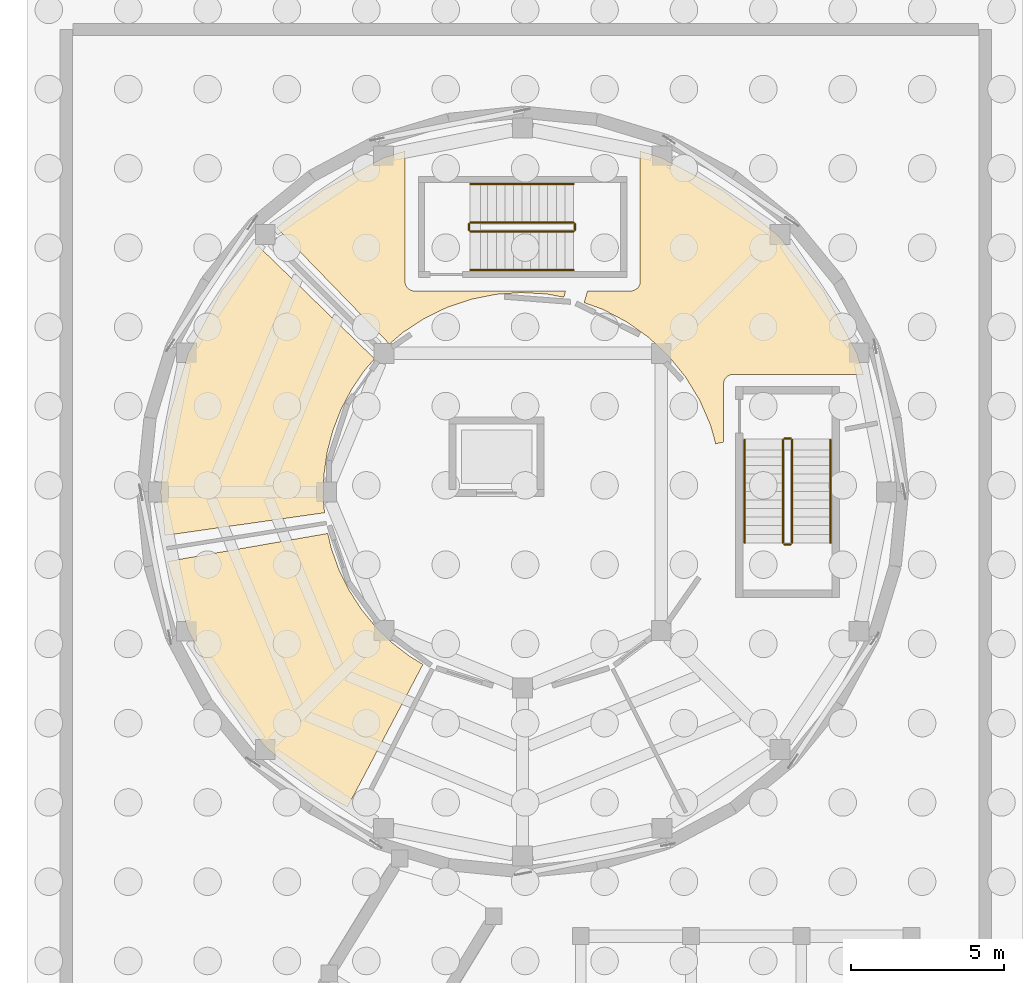
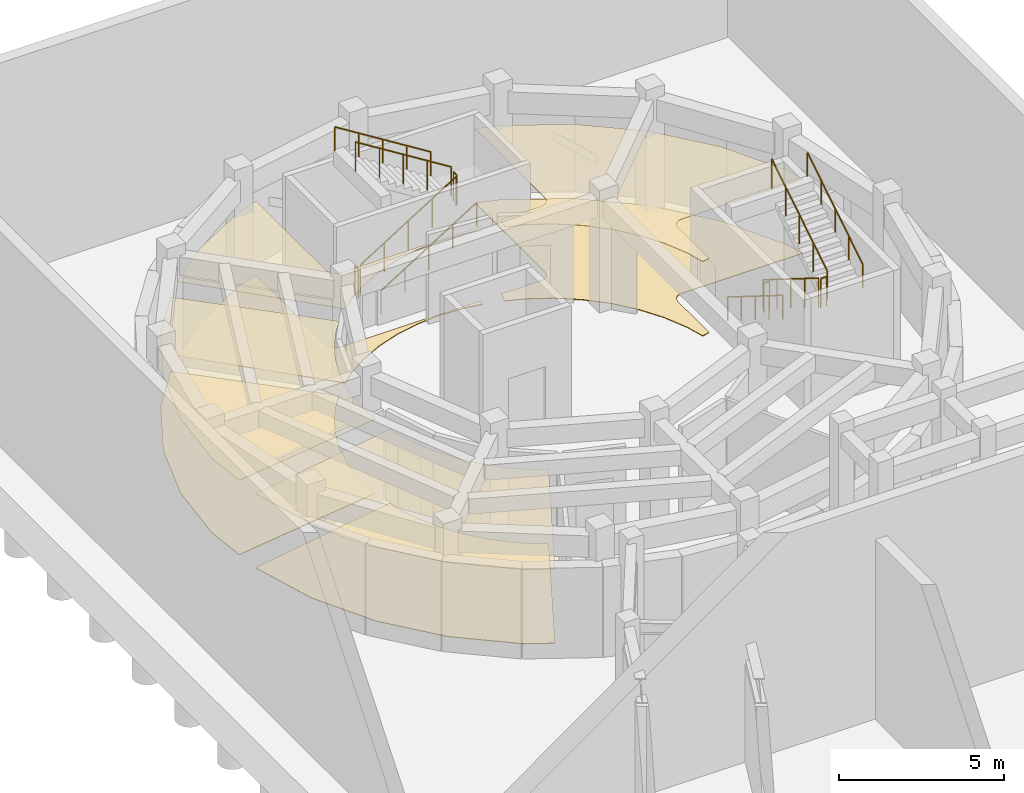
# One storey, part 56 of 57: 12 railings, 8 coverings.
"""IFC4 building model written with IfcOpenShell, lengths in metres."""

from ifc_helpers import new_model, si_unit, direction, frame, origin, origin_2d, place, context, subcontext, project, spatial, polyline, circle, outline, extrude, material, layer, layer_set, type_object, element, save


model = new_model("IFC4")

# Units and contexts
model_context = context("Model", 3, precision=1e-05, world=origin(), true_north=direction((0.0, 1.0)))
body_context = subcontext(model_context, "Body", "Model", "MODEL_VIEW")
ifc_project = project(units=[si_unit("LENGTHUNIT", "METRE"), si_unit("AREAUNIT", "SQUARE_METRE"), si_unit("VOLUMEUNIT", "CUBIC_METRE"), si_unit("PLANEANGLEUNIT", "RADIAN"), si_unit("MASSUNIT", "GRAM", prefix="KILO")], contexts=[model_context])

# Site, building, storey
site_placement = place(None, origin())
site = spatial("IfcSite", under=ifc_project, at=site_placement, CompositionType="ELEMENT")
building_placement = place(site_placement, origin())
building = spatial("IfcBuilding", under=site, at=building_placement, Name="Aldenvaro Health Centre", CompositionType="ELEMENT")
storey_placement = place(building_placement, frame((0.0, 0.0, -4.550048828125)))
storey = spatial("IfcBuildingStorey", under=building, at=storey_placement, Name="B1", CompositionType="ELEMENT", Elevation=-4.550048828125)

# Coverings
ifc_material_1 = material(Name="Antimicrobial Mineral Fibre Ceiling")
ifc_layer_1 = layer(ifc_material_1, 0.01806640625, Name="Antimicrobial Mineral Fibre Ceiling")
ifc_layer_set_1 = layer_set([ifc_layer_1], Name="Antimicrobial Mineral Fibre Ceiling")
covering_type_1 = type_object("IfcCoveringType", Name="COV-CLG-ACT18", PredefinedType="CEILING", material=ifc_layer_set_1)
covering_1_placement = place(storey_placement, frame((0.0, 0.0, 2.75)))
element("IfcCovering", 1, at=covering_1_placement, inside=storey, type_object=covering_type_1, Name="D2-B1-R04 Suspended Ceiling", PredefinedType="CEILING", context=body_context, shape_type="SweptSolid", body=[
    extrude(outline(polyline([(148.251953125, 97.672119140625), (148.260009765625, 97.64599609375), (148.5, 96.97412109375), (148.510986328125, 96.948974609375), (148.825927734375, 96.30908203125), (148.840087890625, 96.284912109375), (149.22607421875, 95.68505859375), (149.241943359375, 95.6630859375), (149.693115234375, 95.110107421875), (149.7119140625, 95.090087890625), (150.222900390625, 94.592041015625), (150.243896484375, 94.573974609375), (150.80908203125, 94.137939453125), (150.8310546875, 94.123046875), (151.248046875, 93.87109375), (148.784912109375, 89.218017578125), (147.93408203125, 89.673095703125), (146.14306640625, 91.14306640625), (144.673095703125, 92.93408203125), (143.5810546875, 94.97705078125), (142.907958984375, 97.195068359375), (142.905029296875, 97.23291015625), (148.14111328125, 98.14697265625), (148.251953125, 97.672119140625)])), origin(), (0.0, 0.0, 1.0), 0.01806640625),
])
ifc_material_2 = material(Name="Hygienic Sealed Gypsum Ceiling")
ifc_layer_2 = layer(ifc_material_2, 0.02490234375, Name="Hygienic Sealed Gypsum Ceiling")
ifc_layer_set_2 = layer_set([ifc_layer_2], Name="Hygienic Sealed Gypsum Ceiling")
covering_type_2 = type_object("IfcCoveringType", Name="COV-CLG-GYP25", PredefinedType="CEILING", material=ifc_layer_set_2)
covering_2_placement = place(storey_placement, frame((0.0, 0.0, 2.75)))
element("IfcCovering", 2, at=covering_2_placement, inside=storey, type_object=covering_type_2, Name="D2-B1-R01 Suspended Ceiling", PredefinedType="CEILING", context=body_context, shape_type="SweptSolid", body=[
    extrude(outline(polyline([(160.635009765625, 101.676025390625), (160.6240234375, 101.70703125), (160.283935546875, 102.486083984375), (160.26904296875, 102.514892578125), (159.826904296875, 103.240966796875), (159.80810546875, 103.26806640625), (159.27197265625, 103.927978515625), (159.25, 103.950927734375), (158.62890625, 104.531982421875), (158.60400390625, 104.552978515625), (157.909912109375, 105.044921875), (157.882080078125, 105.06201171875), (157.12890625, 105.455078125), (157.09912109375, 105.468017578125), (156.510009765625, 105.679931640625), (156.617919921875, 106.06005859375), (158.02001953125, 106.06005859375), (158.031982421875, 106.06005859375), (158.0400390625, 106.06103515625), (158.06298828125, 106.06298828125), (158.071044921875, 106.06396484375), (158.093994140625, 106.069091796875), (158.10205078125, 106.071044921875), (158.1240234375, 106.076904296875), (158.131103515625, 106.080078125), (158.153076171875, 106.089111328125), (158.159912109375, 106.092041015625), (158.180908203125, 106.10400390625), (158.18798828125, 106.10791015625), (158.20703125, 106.12109375), (158.214111328125, 106.125), (158.23193359375, 106.139892578125), (158.238037109375, 106.14599609375), (158.25390625, 106.162109375), (158.260009765625, 106.16796875), (158.27490234375, 106.18603515625), (158.279052734375, 106.193115234375), (158.2919921875, 106.2119140625), (158.2958984375, 106.218994140625), (158.30810546875, 106.239990234375), (158.31103515625, 106.2470703125), (158.320068359375, 106.26904296875), (158.322998046875, 106.27587890625), (158.3291015625, 106.298095703125), (158.3310546875, 106.305908203125), (158.3359375, 106.3291015625), (158.3369140625, 106.3369140625), (158.339111328125, 106.360107421875), (158.340087890625, 106.367919921875), (158.340087890625, 106.3798828125), (158.340087890625, 110.6259765625), (159.02294921875, 110.4189453125), (161.06591796875, 109.326904296875), (162.85693359375, 107.85693359375), (164.326904296875, 106.06591796875), (165.4189453125, 104.02294921875), (165.6259765625, 103.340087890625), (161.3798828125, 103.340087890625), (161.367919921875, 103.340087890625), (161.360107421875, 103.339111328125), (161.3369140625, 103.3369140625), (161.3291015625, 103.3359375), (161.305908203125, 103.3310546875), (161.298095703125, 103.3291015625), (161.27587890625, 103.322998046875), (161.26904296875, 103.320068359375), (161.2470703125, 103.31103515625), (161.239990234375, 103.30810546875), (161.218994140625, 103.2958984375), (161.2119140625, 103.2919921875), (161.193115234375, 103.279052734375), (161.18603515625, 103.27490234375), (161.16796875, 103.260009765625), (161.162109375, 103.25390625), (161.14599609375, 103.238037109375), (161.139892578125, 103.23193359375), (161.125, 103.214111328125), (161.12109375, 103.20703125), (161.10791015625, 103.18798828125), (161.10400390625, 103.180908203125), (161.092041015625, 103.159912109375), (161.089111328125, 103.153076171875), (161.080078125, 103.131103515625), (161.076904296875, 103.1240234375), (161.071044921875, 103.10205078125), (161.069091796875, 103.093994140625), (161.06396484375, 103.071044921875), (161.06298828125, 103.06298828125), (161.06103515625, 103.0400390625), (161.06005859375, 103.031982421875), (161.06005859375, 103.02001953125), (161.06005859375, 101.1279296875), (160.804931640625, 101.073974609375), (160.635009765625, 101.676025390625)])), origin(), (0.0, 0.0, 1.0), 0.025146484375),
])
covering_3_placement = place(storey_placement, frame((0.0, 0.0, 2.75)))
element("IfcCovering", 3, at=covering_3_placement, inside=storey, type_object=covering_type_2, Name="D2-B1-R02 Suspended Ceiling", PredefinedType="CEILING", context=body_context, shape_type="SweptSolid", body=[
    extrude(outline(polyline([(155.2890625, 105.9619140625), (155.258056640625, 105.965087890625), (154.464111328125, 106.009033203125), (154.43408203125, 106.009033203125), (153.639892578125, 105.951904296875), (153.610107421875, 105.947998046875), (152.830078125, 105.7919921875), (152.801025390625, 105.783935546875), (152.047119140625, 105.530029296875), (152.01806640625, 105.51806640625), (151.302978515625, 105.169921875), (151.27587890625, 105.155029296875), (150.611083984375, 104.719970703125), (150.5859375, 104.701904296875), (150.152099609375, 104.3310546875), (146.472900390625, 108.1279296875), (147.93408203125, 109.326904296875), (149.97705078125, 110.4189453125), (150.659912109375, 110.6259765625), (150.659912109375, 106.3798828125), (150.659912109375, 106.367919921875), (150.660888671875, 106.360107421875), (150.6630859375, 106.3369140625), (150.6640625, 106.3291015625), (150.6689453125, 106.305908203125), (150.6708984375, 106.298095703125), (150.677001953125, 106.27587890625), (150.679931640625, 106.26904296875), (150.68896484375, 106.2470703125), (150.69189453125, 106.239990234375), (150.7041015625, 106.218994140625), (150.7080078125, 106.2119140625), (150.720947265625, 106.193115234375), (150.72509765625, 106.18603515625), (150.739990234375, 106.16796875), (150.74609375, 106.162109375), (150.761962890625, 106.14599609375), (150.76806640625, 106.139892578125), (150.785888671875, 106.125), (150.79296875, 106.12109375), (150.81201171875, 106.10791015625), (150.819091796875, 106.10400390625), (150.840087890625, 106.092041015625), (150.846923828125, 106.089111328125), (150.868896484375, 106.080078125), (150.8759765625, 106.076904296875), (150.89794921875, 106.071044921875), (150.906005859375, 106.069091796875), (150.928955078125, 106.06396484375), (150.93701171875, 106.06298828125), (150.9599609375, 106.06103515625), (150.968017578125, 106.06005859375), (150.97998046875, 106.06005859375), (155.89990234375, 106.06005859375), (155.85009765625, 105.85791015625), (155.2890625, 105.9619140625)])), origin(), (0.0, 0.0, 1.0), 0.025146484375),
])
covering_4_placement = place(storey_placement, frame((0.0, 0.0, 2.75)))
element("IfcCovering", 4, at=covering_4_placement, inside=storey, type_object=covering_type_2, Name="D2-B1-R03 Suspended Ceiling", PredefinedType="CEILING", context=body_context, shape_type="SweptSolid", body=[
    extrude(outline(polyline([(149.34912109375, 103.47998046875), (149.33203125, 103.458984375), (148.929931640625, 102.868896484375), (148.916015625, 102.845947265625), (148.5830078125, 102.215087890625), (148.572021484375, 102.18994140625), (148.31298828125, 101.52490234375), (148.304931640625, 101.4990234375), (148.123046875, 100.80810546875), (148.117919921875, 100.781982421875), (148.01611328125, 100.074951171875), (148.012939453125, 100.048095703125), (147.991943359375, 99.3349609375), (147.992919921875, 99.306884765625), (148.033935546875, 98.822021484375), (142.821044921875, 98.080078125), (142.681884765625, 99.5), (142.907958984375, 101.804931640625), (143.5810546875, 104.02294921875), (144.673095703125, 106.06591796875), (145.8720703125, 107.527099609375), (149.66796875, 103.84912109375), (149.34912109375, 103.47998046875)])), origin(), (0.0, 0.0, 1.0), 0.025146484375),
])
ifc_material_3 = material(Name="Polished Epoxy Terrazzo Flooring")
ifc_layer_3 = layer(ifc_material_3, 0.02197265625, Name="Polished Epoxy Terrazzo Flooring")
ifc_layer_set_3 = layer_set([ifc_layer_3], Name="Polished Epoxy Terrazzo Flooring")
covering_type_3 = type_object("IfcCoveringType", Name="COV-FLR-TER22", PredefinedType="FLOORING", material=ifc_layer_set_3)
covering_5_placement = place(storey_placement, origin())
element("IfcCovering", 5, at=covering_5_placement, inside=storey, type_object=covering_type_3, Name="D2-B1-R01 Flooring", PredefinedType="FLOORING", context=body_context, shape_type="SweptSolid", body=[
    extrude(outline(polyline([(160.635009765625, 101.676025390625), (160.6240234375, 101.70703125), (160.283935546875, 102.486083984375), (160.26904296875, 102.514892578125), (159.826904296875, 103.240966796875), (159.80810546875, 103.26806640625), (159.27197265625, 103.927978515625), (159.25, 103.950927734375), (158.62890625, 104.531982421875), (158.60400390625, 104.552978515625), (157.909912109375, 105.044921875), (157.882080078125, 105.06201171875), (157.12890625, 105.455078125), (157.09912109375, 105.468017578125), (156.510009765625, 105.679931640625), (156.617919921875, 106.06005859375), (158.02001953125, 106.06005859375), (158.031982421875, 106.06005859375), (158.0400390625, 106.06103515625), (158.06298828125, 106.06298828125), (158.071044921875, 106.06396484375), (158.093994140625, 106.069091796875), (158.10205078125, 106.071044921875), (158.1240234375, 106.076904296875), (158.131103515625, 106.080078125), (158.153076171875, 106.089111328125), (158.159912109375, 106.092041015625), (158.180908203125, 106.10400390625), (158.18798828125, 106.10791015625), (158.20703125, 106.12109375), (158.214111328125, 106.125), (158.23193359375, 106.139892578125), (158.238037109375, 106.14599609375), (158.25390625, 106.162109375), (158.260009765625, 106.16796875), (158.27490234375, 106.18603515625), (158.279052734375, 106.193115234375), (158.2919921875, 106.2119140625), (158.2958984375, 106.218994140625), (158.30810546875, 106.239990234375), (158.31103515625, 106.2470703125), (158.320068359375, 106.26904296875), (158.322998046875, 106.27587890625), (158.3291015625, 106.298095703125), (158.3310546875, 106.305908203125), (158.3359375, 106.3291015625), (158.3369140625, 106.3369140625), (158.339111328125, 106.360107421875), (158.340087890625, 106.367919921875), (158.340087890625, 106.3798828125), (158.340087890625, 110.6259765625), (159.02294921875, 110.4189453125), (161.06591796875, 109.326904296875), (162.85693359375, 107.85693359375), (164.326904296875, 106.06591796875), (165.4189453125, 104.02294921875), (165.6259765625, 103.340087890625), (161.3798828125, 103.340087890625), (161.367919921875, 103.340087890625), (161.360107421875, 103.339111328125), (161.3369140625, 103.3369140625), (161.3291015625, 103.3359375), (161.305908203125, 103.3310546875), (161.298095703125, 103.3291015625), (161.27587890625, 103.322998046875), (161.26904296875, 103.320068359375), (161.2470703125, 103.31103515625), (161.239990234375, 103.30810546875), (161.218994140625, 103.2958984375), (161.2119140625, 103.2919921875), (161.193115234375, 103.279052734375), (161.18603515625, 103.27490234375), (161.16796875, 103.260009765625), (161.162109375, 103.25390625), (161.14599609375, 103.238037109375), (161.139892578125, 103.23193359375), (161.125, 103.214111328125), (161.12109375, 103.20703125), (161.10791015625, 103.18798828125), (161.10400390625, 103.180908203125), (161.092041015625, 103.159912109375), (161.089111328125, 103.153076171875), (161.080078125, 103.131103515625), (161.076904296875, 103.1240234375), (161.071044921875, 103.10205078125), (161.069091796875, 103.093994140625), (161.06396484375, 103.071044921875), (161.06298828125, 103.06298828125), (161.06103515625, 103.0400390625), (161.06005859375, 103.031982421875), (161.06005859375, 103.02001953125), (161.06005859375, 101.1279296875), (160.804931640625, 101.073974609375), (160.635009765625, 101.676025390625)])), origin(), (0.0, 0.0, 1.0), 0.02197265625),
])
covering_6_placement = place(storey_placement, origin())
element("IfcCovering", 6, at=covering_6_placement, inside=storey, type_object=covering_type_3, Name="D2-B1-R02 Flooring", PredefinedType="FLOORING", context=body_context, shape_type="SweptSolid", body=[
    extrude(outline(polyline([(155.2890625, 105.9619140625), (155.258056640625, 105.965087890625), (154.464111328125, 106.009033203125), (154.43408203125, 106.009033203125), (153.639892578125, 105.951904296875), (153.610107421875, 105.947998046875), (152.830078125, 105.7919921875), (152.801025390625, 105.783935546875), (152.047119140625, 105.530029296875), (152.01806640625, 105.51806640625), (151.302978515625, 105.169921875), (151.27587890625, 105.155029296875), (150.611083984375, 104.719970703125), (150.5859375, 104.701904296875), (150.152099609375, 104.3310546875), (146.472900390625, 108.1279296875), (147.93408203125, 109.326904296875), (149.97705078125, 110.4189453125), (150.659912109375, 110.6259765625), (150.659912109375, 106.3798828125), (150.659912109375, 106.367919921875), (150.660888671875, 106.360107421875), (150.6630859375, 106.3369140625), (150.6640625, 106.3291015625), (150.6689453125, 106.305908203125), (150.6708984375, 106.298095703125), (150.677001953125, 106.27587890625), (150.679931640625, 106.26904296875), (150.68896484375, 106.2470703125), (150.69189453125, 106.239990234375), (150.7041015625, 106.218994140625), (150.7080078125, 106.2119140625), (150.720947265625, 106.193115234375), (150.72509765625, 106.18603515625), (150.739990234375, 106.16796875), (150.74609375, 106.162109375), (150.761962890625, 106.14599609375), (150.76806640625, 106.139892578125), (150.785888671875, 106.125), (150.79296875, 106.12109375), (150.81201171875, 106.10791015625), (150.819091796875, 106.10400390625), (150.840087890625, 106.092041015625), (150.846923828125, 106.089111328125), (150.868896484375, 106.080078125), (150.8759765625, 106.076904296875), (150.89794921875, 106.071044921875), (150.906005859375, 106.069091796875), (150.928955078125, 106.06396484375), (150.93701171875, 106.06298828125), (150.9599609375, 106.06103515625), (150.968017578125, 106.06005859375), (150.97998046875, 106.06005859375), (155.89990234375, 106.06005859375), (155.85009765625, 105.85791015625), (155.2890625, 105.9619140625)])), origin(), (0.0, 0.0, 1.0), 0.02197265625),
])
covering_7_placement = place(storey_placement, origin())
element("IfcCovering", 7, at=covering_7_placement, inside=storey, type_object=covering_type_3, Name="D2-B1-R03 Flooring", PredefinedType="FLOORING", context=body_context, shape_type="SweptSolid", body=[
    extrude(outline(polyline([(149.34912109375, 103.47998046875), (149.33203125, 103.458984375), (148.929931640625, 102.868896484375), (148.916015625, 102.845947265625), (148.5830078125, 102.215087890625), (148.572021484375, 102.18994140625), (148.31298828125, 101.52490234375), (148.304931640625, 101.4990234375), (148.123046875, 100.80810546875), (148.117919921875, 100.781982421875), (148.01611328125, 100.074951171875), (148.012939453125, 100.048095703125), (147.991943359375, 99.3349609375), (147.992919921875, 99.306884765625), (148.033935546875, 98.822021484375), (142.821044921875, 98.080078125), (142.681884765625, 99.5), (142.907958984375, 101.804931640625), (143.5810546875, 104.02294921875), (144.673095703125, 106.06591796875), (145.8720703125, 107.527099609375), (149.66796875, 103.84912109375), (149.34912109375, 103.47998046875)])), origin(), (0.0, 0.0, 1.0), 0.02197265625),
])
covering_8_placement = place(storey_placement, origin())
element("IfcCovering", 8, at=covering_8_placement, inside=storey, type_object=covering_type_3, Name="D2-B1-R04 Flooring", PredefinedType="FLOORING", context=body_context, shape_type="SweptSolid", body=[
    extrude(outline(polyline([(148.251953125, 97.672119140625), (148.260009765625, 97.64599609375), (148.5, 96.97412109375), (148.510986328125, 96.948974609375), (148.825927734375, 96.30908203125), (148.840087890625, 96.284912109375), (149.22607421875, 95.68505859375), (149.241943359375, 95.6630859375), (149.693115234375, 95.110107421875), (149.7119140625, 95.090087890625), (150.222900390625, 94.592041015625), (150.243896484375, 94.573974609375), (150.80908203125, 94.137939453125), (150.8310546875, 94.123046875), (151.248046875, 93.87109375), (148.784912109375, 89.218017578125), (147.93408203125, 89.673095703125), (146.14306640625, 91.14306640625), (144.673095703125, 92.93408203125), (143.5810546875, 94.97705078125), (142.907958984375, 97.195068359375), (142.905029296875, 97.23291015625), (148.14111328125, 98.14697265625), (148.251953125, 97.672119140625)])), origin(), (0.0, 0.0, 1.0), 0.02197265625),
])

# Railings
ifc_material_4 = material(Name="Painted Architectural Steel", Category="steel")
railing_type_1 = type_object("IfcRailingType", Name="RL-BAL-INT", PredefinedType="BALUSTRADE", material=ifc_material_4)
railing_1_placement = place(storey_placement, frame((163.0, 101.199951171875, 0.175048828125)))
element("IfcRailing", 9, at=railing_1_placement, inside=storey, type_object=railing_type_1, Name="B1 ST-03 stair guard 1", PredefinedType="BALUSTRADE", context=body_context, shape_type="SweptSolid", body=[
    extrude(circle(Radius=0.02392578125, at=origin_2d()), frame((0.0, 0.0, 1.076171875), z_axis=(0.0, -0.847977533471, 0.530032171408), x_axis=(1.0, 0.0, 0.0)), (0.0, 0.0, 1.0), 3.962158203125),
    extrude(circle(Radius=0.02099609375, at=origin_2d()), origin(), (0.0, 0.0, 1.0), 1.052001953125),
    extrude(circle(Radius=0.02099609375, at=origin_2d()), frame((0.0, -0.83984375, 0.52490234375)), (0.0, 0.0, 1.0), 1.052001953125),
    extrude(circle(Radius=0.02099609375, at=origin_2d()), frame((0.0, -1.679931640625, 1.050048828125)), (0.0, 0.0, 1.0), 1.052001953125),
    extrude(circle(Radius=0.02099609375, at=origin_2d()), frame((0.0, -2.52001953125, 1.5751953125)), (0.0, 0.0, 1.0), 1.052001953125),
    extrude(circle(Radius=0.02099609375, at=origin_2d()), frame((0.0, -3.35986328125, 2.10009765625)), (0.0, 0.0, 1.0), 1.052001953125),
])
railing_2_placement = place(storey_placement, frame((163.050048828125, 97.7900390625, 2.275146484375)))
element("IfcRailing", 10, at=railing_2_placement, inside=storey, type_object=railing_type_1, Name="B1 ST-03 stair guard 2", PredefinedType="BALUSTRADE", context=body_context, shape_type="SweptSolid", body=[
    extrude(circle(Radius=0.02392578125, at=origin_2d()), frame((0.0, 0.0, 1.076171875), z_axis=(1.0, 0.0, 0.0), x_axis=(0.0, 1.0, 0.0)), (0.0, 0.0, 1.0), 0.199951171875),
    extrude(circle(Radius=0.02099609375, at=origin_2d()), origin(), (0.0, 0.0, 1.0), 1.052001953125),
    extrude(circle(Radius=0.02099609375, at=origin_2d()), frame((0.199951171875, 0.0, 0.0)), (0.0, 0.0, 1.0), 1.052001953125),
])
railing_3_placement = place(storey_placement, frame((163.300048828125, 97.840087890625, 2.449951171875)))
element("IfcRailing", 11, at=railing_3_placement, inside=storey, type_object=railing_type_1, Name="B1 ST-03 stair guard 3", PredefinedType="BALUSTRADE", context=body_context, shape_type="SweptSolid", body=[
    extrude(circle(Radius=0.02392578125, at=origin_2d()), frame((0.0, 0.0, 1.076171875), z_axis=(0.0, 0.847977533471, 0.530032171408), x_axis=(-1.0, 0.0, 0.0)), (0.0, 0.0, 1.0), 3.962158203125),
    extrude(circle(Radius=0.02099609375, at=origin_2d()), origin(), (0.0, 0.0, 1.0), 1.052001953125),
    extrude(circle(Radius=0.02099609375, at=origin_2d()), frame((0.0, 0.83984375, 0.52490234375)), (0.0, 0.0, 1.0), 1.052001953125),
    extrude(circle(Radius=0.02099609375, at=origin_2d()), frame((0.0, 1.679931640625, 1.050048828125)), (0.0, 0.0, 1.0), 1.052001953125),
    extrude(circle(Radius=0.02099609375, at=origin_2d()), frame((0.0, 2.52001953125, 1.5751953125)), (0.0, 0.0, 1.0), 1.052001953125),
    extrude(circle(Radius=0.02099609375, at=origin_2d()), frame((0.0, 3.35986328125, 2.10009765625)), (0.0, 0.0, 1.0), 1.052001953125),
])
railing_4_placement = place(storey_placement, frame((163.050048828125, 101.25, 0.0)))
element("IfcRailing", 12, at=railing_4_placement, inside=storey, type_object=railing_type_1, Name="B1 ST-03 stair guard 4", PredefinedType="BALUSTRADE", context=body_context, shape_type="SweptSolid", body=[
    extrude(circle(Radius=0.02392578125, at=origin_2d()), frame((0.0, 0.0, 1.076171875), z_axis=(1.0, 0.0, 0.0), x_axis=(0.0, 1.0, 0.0)), (0.0, 0.0, 1.0), 0.199951171875),
    extrude(circle(Radius=0.02099609375, at=origin_2d()), origin(), (0.0, 0.0, 1.0), 1.052001953125),
    extrude(circle(Radius=0.02099609375, at=origin_2d()), frame((0.199951171875, 0.0, 0.0)), (0.0, 0.0, 1.0), 1.052001953125),
])
railing_5_placement = place(storey_placement, frame((152.800048828125, 108.0, 0.175048828125)))
element("IfcRailing", 13, at=railing_5_placement, inside=storey, type_object=railing_type_1, Name="B1 ST-04 stair guard 1", PredefinedType="BALUSTRADE", context=body_context, shape_type="SweptSolid", body=[
    extrude(circle(Radius=0.02392578125, at=origin_2d()), frame((0.0, 0.0, 1.076171875), z_axis=(0.847977533471, 0.0, 0.530032171408), x_axis=(0.0, 1.0, 0.0)), (0.0, 0.0, 1.0), 3.962158203125),
    extrude(circle(Radius=0.02099609375, at=origin_2d()), origin(), (0.0, 0.0, 1.0), 1.052001953125),
    extrude(circle(Radius=0.02099609375, at=origin_2d()), frame((0.83984375, 0.0, 0.52490234375)), (0.0, 0.0, 1.0), 1.052001953125),
    extrude(circle(Radius=0.02099609375, at=origin_2d()), frame((1.679931640625, 0.0, 1.050048828125)), (0.0, 0.0, 1.0), 1.052001953125),
    extrude(circle(Radius=0.02099609375, at=origin_2d()), frame((2.52001953125, 0.0, 1.5751953125)), (0.0, 0.0, 1.0), 1.052001953125),
    extrude(circle(Radius=0.02099609375, at=origin_2d()), frame((3.35986328125, 0.0, 2.10009765625)), (0.0, 0.0, 1.0), 1.052001953125),
])
railing_6_placement = place(storey_placement, frame((156.2099609375, 108.050048828125, 2.275146484375)))
element("IfcRailing", 14, at=railing_6_placement, inside=storey, type_object=railing_type_1, Name="B1 ST-04 stair guard 2", PredefinedType="BALUSTRADE", context=body_context, shape_type="SweptSolid", body=[
    extrude(circle(Radius=0.02392578125, at=origin_2d()), frame((0.0, 0.0, 1.076171875), z_axis=(0.0, 1.0, 0.0), x_axis=(-1.0, 0.0, 0.0)), (0.0, 0.0, 1.0), 0.199951171875),
    extrude(circle(Radius=0.02099609375, at=origin_2d()), origin(), (0.0, 0.0, 1.0), 1.052001953125),
    extrude(circle(Radius=0.02099609375, at=origin_2d()), frame((0.0, 0.199951171875, 0.0)), (0.0, 0.0, 1.0), 1.052001953125),
])
railing_7_placement = place(storey_placement, frame((156.159912109375, 108.300048828125, 2.449951171875)))
element("IfcRailing", 15, at=railing_7_placement, inside=storey, type_object=railing_type_1, Name="B1 ST-04 stair guard 3", PredefinedType="BALUSTRADE", context=body_context, shape_type="SweptSolid", body=[
    extrude(circle(Radius=0.02392578125, at=origin_2d()), frame((0.0, 0.0, 1.076171875), z_axis=(-0.847977533471, 0.0, 0.530032171408), x_axis=(0.0, -1.0, 0.0)), (0.0, 0.0, 1.0), 3.962158203125),
    extrude(circle(Radius=0.02099609375, at=origin_2d()), origin(), (0.0, 0.0, 1.0), 1.052001953125),
    extrude(circle(Radius=0.02099609375, at=origin_2d()), frame((-0.83984375, 0.0, 0.52490234375)), (0.0, 0.0, 1.0), 1.052001953125),
    extrude(circle(Radius=0.02099609375, at=origin_2d()), frame((-1.679931640625, 0.0, 1.050048828125)), (0.0, 0.0, 1.0), 1.052001953125),
    extrude(circle(Radius=0.02099609375, at=origin_2d()), frame((-2.52001953125, 0.0, 1.5751953125)), (0.0, 0.0, 1.0), 1.052001953125),
    extrude(circle(Radius=0.02099609375, at=origin_2d()), frame((-3.35986328125, 0.0, 2.10009765625)), (0.0, 0.0, 1.0), 1.052001953125),
])
railing_8_placement = place(storey_placement, frame((152.75, 108.050048828125, 0.0)))
element("IfcRailing", 16, at=railing_8_placement, inside=storey, type_object=railing_type_1, Name="B1 ST-04 stair guard 4", PredefinedType="BALUSTRADE", context=body_context, shape_type="SweptSolid", body=[
    extrude(circle(Radius=0.02392578125, at=origin_2d()), frame((0.0, 0.0, 1.076171875), z_axis=(0.0, 1.0, 0.0), x_axis=(-1.0, 0.0, 0.0)), (0.0, 0.0, 1.0), 0.199951171875),
    extrude(circle(Radius=0.02099609375, at=origin_2d()), origin(), (0.0, 0.0, 1.0), 1.052001953125),
    extrude(circle(Radius=0.02099609375, at=origin_2d()), frame((0.0, 0.199951171875, 0.0)), (0.0, 0.0, 1.0), 1.052001953125),
])
railing_type_2 = type_object("IfcRailingType", Name="RL-HND-INT", PredefinedType="HANDRAIL", material=ifc_material_4)
railing_9_placement = place(storey_placement, frame((161.75, 101.199951171875, 0.175048828125)))
element("IfcRailing", 17, at=railing_9_placement, inside=storey, type_object=railing_type_2, Name="B1 ST-03 stair handrail 1", PredefinedType="HANDRAIL", context=body_context, shape_type="SweptSolid", body=[
    extrude(circle(Radius=0.02392578125, at=origin_2d()), frame((0.0, 0.0, 0.8759765625), z_axis=(0.0, -0.847977533471, 0.530032171408), x_axis=(1.0, 0.0, 0.0)), (0.0, 0.0, 1.0), 3.962158203125),
    extrude(circle(Radius=0.02099609375, at=origin_2d()), origin(), (0.0, 0.0, 1.0), 0.851806640625),
    extrude(circle(Radius=0.02099609375, at=origin_2d()), frame((0.0, -0.83984375, 0.52490234375)), (0.0, 0.0, 1.0), 0.851806640625),
    extrude(circle(Radius=0.02099609375, at=origin_2d()), frame((0.0, -1.679931640625, 1.050048828125)), (0.0, 0.0, 1.0), 0.851806640625),
    extrude(circle(Radius=0.02099609375, at=origin_2d()), frame((0.0, -2.52001953125, 1.5751953125)), (0.0, 0.0, 1.0), 0.851806640625),
    extrude(circle(Radius=0.02099609375, at=origin_2d()), frame((0.0, -3.35986328125, 2.10009765625)), (0.0, 0.0, 1.0), 0.851806640625),
])
railing_10_placement = place(storey_placement, frame((164.550048828125, 97.840087890625, 2.449951171875)))
element("IfcRailing", 18, at=railing_10_placement, inside=storey, type_object=railing_type_2, Name="B1 ST-03 stair handrail 2", PredefinedType="HANDRAIL", context=body_context, shape_type="SweptSolid", body=[
    extrude(circle(Radius=0.02392578125, at=origin_2d()), frame((0.0, 0.0, 0.8759765625), z_axis=(0.0, 0.847977533471, 0.530032171408), x_axis=(-1.0, 0.0, 0.0)), (0.0, 0.0, 1.0), 3.962158203125),
    extrude(circle(Radius=0.02099609375, at=origin_2d()), origin(), (0.0, 0.0, 1.0), 0.851806640625),
    extrude(circle(Radius=0.02099609375, at=origin_2d()), frame((0.0, 0.83984375, 0.52490234375)), (0.0, 0.0, 1.0), 0.851806640625),
    extrude(circle(Radius=0.02099609375, at=origin_2d()), frame((0.0, 1.679931640625, 1.050048828125)), (0.0, 0.0, 1.0), 0.851806640625),
    extrude(circle(Radius=0.02099609375, at=origin_2d()), frame((0.0, 2.52001953125, 1.5751953125)), (0.0, 0.0, 1.0), 0.851806640625),
    extrude(circle(Radius=0.02099609375, at=origin_2d()), frame((0.0, 3.35986328125, 2.10009765625)), (0.0, 0.0, 1.0), 0.851806640625),
])
railing_11_placement = place(storey_placement, frame((152.800048828125, 106.75, 0.175048828125)))
element("IfcRailing", 19, at=railing_11_placement, inside=storey, type_object=railing_type_2, Name="B1 ST-04 stair handrail 1", PredefinedType="HANDRAIL", context=body_context, shape_type="SweptSolid", body=[
    extrude(circle(Radius=0.02392578125, at=origin_2d()), frame((0.0, 0.0, 0.8759765625), z_axis=(0.847977533471, 0.0, 0.530032171408), x_axis=(0.0, 1.0, 0.0)), (0.0, 0.0, 1.0), 3.962158203125),
    extrude(circle(Radius=0.02099609375, at=origin_2d()), origin(), (0.0, 0.0, 1.0), 0.851806640625),
    extrude(circle(Radius=0.02099609375, at=origin_2d()), frame((0.83984375, 0.0, 0.52490234375)), (0.0, 0.0, 1.0), 0.851806640625),
    extrude(circle(Radius=0.02099609375, at=origin_2d()), frame((1.679931640625, 0.0, 1.050048828125)), (0.0, 0.0, 1.0), 0.851806640625),
    extrude(circle(Radius=0.02099609375, at=origin_2d()), frame((2.52001953125, 0.0, 1.5751953125)), (0.0, 0.0, 1.0), 0.851806640625),
    extrude(circle(Radius=0.02099609375, at=origin_2d()), frame((3.35986328125, 0.0, 2.10009765625)), (0.0, 0.0, 1.0), 0.851806640625),
])
railing_12_placement = place(storey_placement, frame((156.159912109375, 109.550048828125, 2.449951171875)))
element("IfcRailing", 20, at=railing_12_placement, inside=storey, type_object=railing_type_2, Name="B1 ST-04 stair handrail 2", PredefinedType="HANDRAIL", context=body_context, shape_type="SweptSolid", body=[
    extrude(circle(Radius=0.02392578125, at=origin_2d()), frame((0.0, 0.0, 0.8759765625), z_axis=(-0.847977533471, 0.0, 0.530032171408), x_axis=(0.0, -1.0, 0.0)), (0.0, 0.0, 1.0), 3.962158203125),
    extrude(circle(Radius=0.02099609375, at=origin_2d()), origin(), (0.0, 0.0, 1.0), 0.851806640625),
    extrude(circle(Radius=0.02099609375, at=origin_2d()), frame((-0.83984375, 0.0, 0.52490234375)), (0.0, 0.0, 1.0), 0.851806640625),
    extrude(circle(Radius=0.02099609375, at=origin_2d()), frame((-1.679931640625, 0.0, 1.050048828125)), (0.0, 0.0, 1.0), 0.851806640625),
    extrude(circle(Radius=0.02099609375, at=origin_2d()), frame((-2.52001953125, 0.0, 1.5751953125)), (0.0, 0.0, 1.0), 0.851806640625),
    extrude(circle(Radius=0.02099609375, at=origin_2d()), frame((-3.35986328125, 0.0, 2.10009765625)), (0.0, 0.0, 1.0), 0.851806640625),
])

save(model, "model.ifc")
